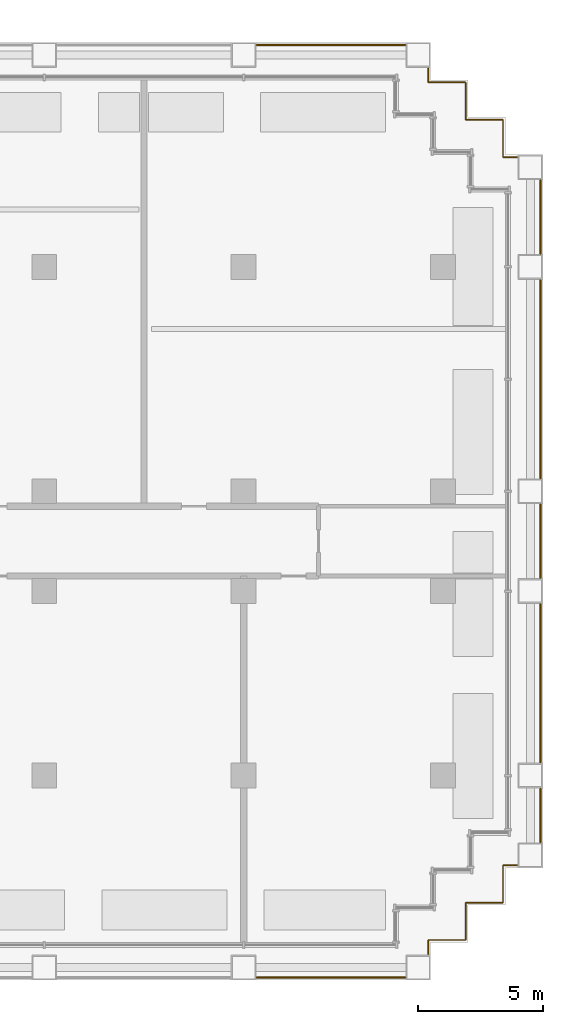
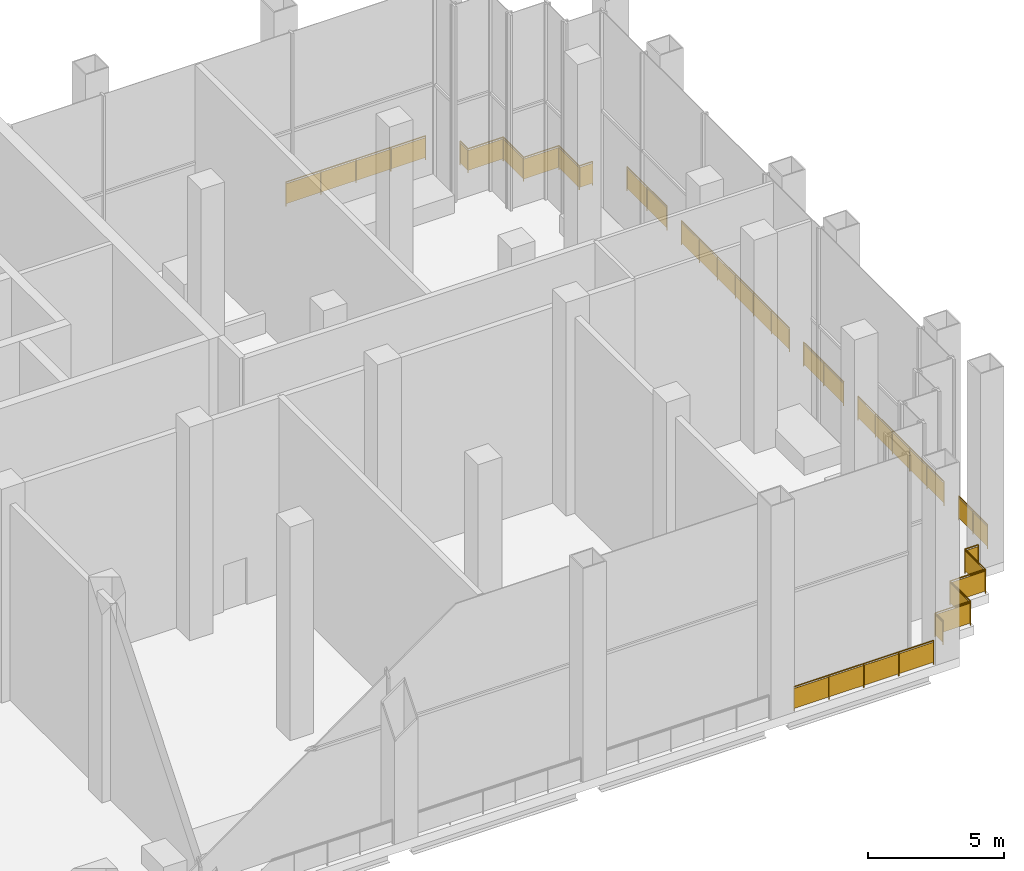
# One storey, part 16 of 16: 9 railings.
"""IFC4 building model written with IfcOpenShell, lengths in metres."""

import ifcopenshell
import ifcopenshell.guid

model = None  # the IFC model being written
_history = None  # IfcOwnerHistory: only IFC2X3 demands one
_inside = {}  # id of a spatial element -> (the spatial element, [elements in it])
_under = {}  # id of a project, library or spatial element -> (it, [spatial elements below it])
_declared = {}  # id of a project -> (the project, [libraries it declares])
_typed = {}  # id of a type object -> (the type object, [elements of that type])
_made_of = {}  # id of a material, layer set ... -> (it, [elements and type objects made of it])


def new_model(schema):
    """Start an empty IFC model of exactly this schema.

    Asked for "IFC4X3", IfcOpenShell would pick the latest addendum, in which some entities
    have other attributes; the version numbers below select the first issue.
    IFC2X3 requires an IfcOwnerHistory on every rooted entity: one is made here for all.
    """
    global model, _history
    if schema == "IFC4X3":
        model = ifcopenshell.file(schema_version=(4, 3, 0, 0))
    else:
        model = ifcopenshell.file(schema=schema)
    _inside.clear()
    _under.clear()
    _declared.clear()
    _typed.clear()
    _made_of.clear()
    _history = None
    if model.schema == "IFC2X3":
        org = make("IfcOrganization", Name="unknown")
        user = make(
            "IfcPersonAndOrganization",
            ThePerson=make("IfcPerson", FamilyName="unknown"),
            TheOrganization=org,
        )
        app = make(
            "IfcApplication",
            ApplicationDeveloper=org,
            Version="unknown",
            ApplicationFullName="unknown",
            ApplicationIdentifier="unknown",
        )
        _history = make(
            "IfcOwnerHistory",
            OwningUser=user,
            OwningApplication=app,
            ChangeAction="ADDED",
            CreationDate=0,
        )
    return model


def make(cls, **values):
    """One entity of the class cls with the attributes given. An attribute that is None is left unset."""
    return model.create_entity(
        cls, **{name: value for name, value in values.items() if value is not None}
    )


def rooted(cls, **values):
    """An entity with a GlobalId (a new one), such as an element, a storey or a relation."""
    return make(cls, GlobalId=ifcopenshell.guid.new(), OwnerHistory=_history, **values)


def si_unit(unit_type, name, prefix=None):
    """IfcSIUnit, for example si_unit("LENGTHUNIT", "METRE", prefix="MILLI")."""
    return make("IfcSIUnit", UnitType=unit_type, Prefix=prefix, Name=name)


def assignment(units):
    """IfcUnitAssignment: the units of a project."""
    return None if units is None else make("IfcUnitAssignment", Units=units)


def point(xyz):
    """IfcCartesianPoint."""
    return None if xyz is None else make("IfcCartesianPoint", Coordinates=xyz)


def direction(xyz):
    """IfcDirection."""
    return None if xyz is None else make("IfcDirection", DirectionRatios=xyz)


def frame(location, z_axis=None, x_axis=None):
    """IfcAxis2Placement3D, a coordinate frame: its origin and axes. An axis left out is left unset."""
    return make(
        "IfcAxis2Placement3D",
        Location=point(location),
        Axis=direction(z_axis),
        RefDirection=direction(x_axis),
    )


def frame_2d(location, x_axis=None):
    """IfcAxis2Placement2D, a coordinate frame in the plane: its origin and x axis."""
    return make(
        "IfcAxis2Placement2D", Location=point(location), RefDirection=direction(x_axis)
    )


def origin():
    """The frame at (0, 0, 0) with its axes left unset."""
    return frame((0.0, 0.0, 0.0))


def origin_2d():
    """The frame at (0, 0) in the plane with its x axis left unset."""
    return frame_2d((0.0, 0.0))


def place(relative_to, where):
    """IfcLocalPlacement: puts the frame where relative to a parent placement (None: the world)."""
    return make(
        "IfcLocalPlacement", PlacementRelTo=relative_to, RelativePlacement=where
    )


def context(
    kind, dimensions, precision=None, world=None, true_north=None, identifier=None
):
    """IfcGeometricRepresentationContext, for example the 3D "Model" context."""
    return make(
        "IfcGeometricRepresentationContext",
        ContextIdentifier=identifier,
        ContextType=kind,
        CoordinateSpaceDimension=dimensions,
        Precision=precision,
        WorldCoordinateSystem=world,
        TrueNorth=true_north,
    )


def subcontext(parent, identifier, kind, view, scale=None):
    """IfcGeometricRepresentationSubContext, for example "Body" below "Model"."""
    return make(
        "IfcGeometricRepresentationSubContext",
        ContextIdentifier=identifier,
        ContextType=kind,
        ParentContext=parent,
        TargetScale=scale,
        TargetView=view,
    )


def project(units=None, contexts=None):
    """IfcProject with its units and contexts."""
    return rooted(
        "IfcProject",
        Name="project",
        RepresentationContexts=contexts,
        UnitsInContext=assignment(units),
    )


def spatial(cls, under=None, at=None, **own):
    """A site, building, storey or space (cls), placed at a placement, below another one or the project."""
    s = rooted(cls, ObjectPlacement=at, **own)
    if under is not None:
        _under.setdefault(under.id(), (under, []))[1].append(s)
    return s


def profile(cls, at=None, kind="AREA", **sizes):
    """A parametric profile (cls). Its sizes go by their IFC names, for example OverallWidth=200.0."""
    return make(cls, ProfileType=kind, Position=at, **sizes)


def rectangle(**sizes):
    """IfcRectangleProfileDef."""
    return profile("IfcRectangleProfileDef", **sizes)


def circle(**sizes):
    """IfcCircleProfileDef."""
    return profile("IfcCircleProfileDef", **sizes)


def extrude(swept, where, along, depth):
    """IfcExtrudedAreaSolid: the profile swept, set in the frame where, extruded along a direction by depth."""
    return make(
        "IfcExtrudedAreaSolid",
        SweptArea=swept,
        Position=where,
        ExtrudedDirection=direction(along),
        Depth=depth,
    )


def shape(context_of_items, identifier, shape_type, items):
    """IfcShapeRepresentation: the items that make up one representation, for example the "Body"."""
    return make(
        "IfcShapeRepresentation",
        ContextOfItems=context_of_items,
        RepresentationIdentifier=identifier,
        RepresentationType=shape_type,
        Items=items,
    )


def material(Name=None, Category=None):
    """IfcMaterial."""
    return make("IfcMaterial", Name=Name, Category=Category)


def made_of(thing, what):
    """Note that an element or type object is made of a material, layer set ...; save() writes the relation."""
    if what is not None:
        _made_of.setdefault(what.id(), (what, []))[1].append(thing)
    return thing


def type_object(cls, material=None, **own):
    """A type object (cls), such as IfcWallType, which elements share."""
    return made_of(rooted(cls, **own), material)


def element(
    cls,
    number,
    at=None,
    inside=None,
    cuts=None,
    type_object=None,
    material=None,
    context=None,
    identifier="Body",
    shape_type=None,
    held_by="IfcProductDefinitionShape",
    body=None,
    shapes=None,
    **own,
):
    """One element of the class cls, such as IfcWall. Its Tag is "e" and its number.

    at: its placement. inside: the storey or other place that contains it. cuts: it is an
    opening in that element (IfcRelVoidsElement). A single representation is given by context,
    identifier, shape_type and body (its items); several are given by shapes. held_by: the class
    of the entity that holds the representations. save() writes the other relations.
    """
    e = rooted(cls, Tag="e%d" % number, ObjectPlacement=at, **own)
    if body is not None:
        shapes = [shape(context, identifier, shape_type, body)]
    if shapes is not None:
        e.Representation = make(held_by, Representations=shapes)
    if inside is not None:
        _inside.setdefault(inside.id(), (inside, []))[1].append(e)
    if cuts is not None:
        rooted(
            "IfcRelVoidsElement", RelatingBuildingElement=cuts, RelatedOpeningElement=e
        )
    if type_object is not None:
        _typed.setdefault(type_object.id(), (type_object, []))[1].append(e)
    return made_of(e, material)


def aggregate(whole, parts):
    """IfcRelAggregates: a whole, such as a stair, and the parts it consists of."""
    return rooted("IfcRelAggregates", RelatingObject=whole, RelatedObjects=parts)


def save(model, path):
    """Write the relations noted so far, then the file.

    IfcRelAggregates (storeys below a building ...), IfcRelContainedInSpatialStructure (elements
    in a storey), IfcRelDefinesByType, IfcRelAssociatesMaterial and IfcRelDeclares: one each for
    every whole, place, type object, material and project.
    """
    for whole, parts in _under.values():
        aggregate(whole, parts)
    for where, things in _inside.values():
        rooted(
            "IfcRelContainedInSpatialStructure",
            RelatedElements=things,
            RelatingStructure=where,
        )
    for kind, things in _typed.values():
        rooted("IfcRelDefinesByType", RelatedObjects=things, RelatingType=kind)
    for what, things in _made_of.values():
        rooted("IfcRelAssociatesMaterial", RelatedObjects=things, RelatingMaterial=what)
    for by, libraries in _declared.values():
        rooted("IfcRelDeclares", RelatingContext=by, RelatedDefinitions=libraries)
    model.write(path)


model = new_model("IFC4")

# Units and contexts
model_context = context("Model", 3, precision=1e-05, world=origin(), true_north=direction((0.0, 1.0)))
body_context = subcontext(model_context, "Body", "Model", "MODEL_VIEW")
ifc_project = project(units=[si_unit("LENGTHUNIT", "METRE"), si_unit("AREAUNIT", "SQUARE_METRE"), si_unit("VOLUMEUNIT", "CUBIC_METRE"), si_unit("PLANEANGLEUNIT", "RADIAN"), si_unit("MASSUNIT", "GRAM", prefix="KILO")], contexts=[model_context])

# Site, building, storey
site_placement = place(None, origin())
site = spatial("IfcSite", under=ifc_project, at=site_placement, CompositionType="ELEMENT")
building_placement = place(site_placement, origin())
building = spatial("IfcBuilding", under=site, at=building_placement, Name="Vidyagriha Tower", CompositionType="ELEMENT")
storey_placement = place(building_placement, frame((0.0, 0.0, 64.0)))
storey = spatial("IfcBuildingStorey", under=building, at=storey_placement, Name="L17", CompositionType="ELEMENT", Elevation=64.0)

# Railings
ifc_material = material(Name="Steel ASTM A500 Grade C black painted", Category="steel")
railing_type = type_object("IfcRailingType", Name="Gallery guard 1100", PredefinedType="GUARDRAIL", material=ifc_material)
railing_1_placement = place(storey_placement, frame((32.469970703125, -17.5, 0.0)))
element("IfcRailing", 1, at=railing_1_placement, inside=storey, type_object=railing_type, Name="Gallery guard L17 21", PredefinedType="GUARDRAIL", context=body_context, shape_type="SweptSolid", body=[
    extrude(circle(Radius=0.02490234375, at=origin_2d()), frame((0.0, 0.0, 1.0751953125), z_axis=(-1.0, 0.0, 0.0), x_axis=(0.0, -1.0, 0.0)), (0.0, 0.0, 1.0), 5.93994140625),
    extrude(circle(Radius=0.02001953125, at=origin_2d()), origin(), (0.0, 0.0, 1.0), 1.050048828125),
    extrude(circle(Radius=0.02001953125, at=origin_2d()), frame((-1.48486328125, 0.0, 0.0)), (0.0, 0.0, 1.0), 1.050048828125),
    extrude(circle(Radius=0.02001953125, at=origin_2d()), frame((-2.969970703125, 0.0, 0.0)), (0.0, 0.0, 1.0), 1.050048828125),
    extrude(circle(Radius=0.02001953125, at=origin_2d()), frame((-4.455078125, 0.0, 0.0)), (0.0, 0.0, 1.0), 1.050048828125),
    extrude(circle(Radius=0.02001953125, at=origin_2d()), frame((-5.93994140625, 0.0, 0.0)), (0.0, 0.0, 1.0), 1.050048828125),
    extrude(rectangle(XDim=0.010009765625, YDim=0.900146484375, at=origin_2d()), frame((0.0, 0.0, 0.550048828125), z_axis=(-1.0, 0.0, 0.0), x_axis=(0.0, -1.0, 0.0)), (0.0, 0.0, 1.0), 5.93994140625),
])
railing_2_placement = place(storey_placement, frame((26.530029296875, 19.89990234375, 0.0)))
element("IfcRailing", 2, at=railing_2_placement, inside=storey, type_object=railing_type, Name="Gallery guard L17 22", PredefinedType="GUARDRAIL", context=body_context, shape_type="SweptSolid", body=[
    extrude(circle(Radius=0.02490234375, at=origin_2d()), frame((0.0, 0.0, 1.0751953125), z_axis=(1.0, 0.0, 0.0), x_axis=(0.0, 1.0, 0.0)), (0.0, 0.0, 1.0), 5.93994140625),
    extrude(circle(Radius=0.02001953125, at=origin_2d()), origin(), (0.0, 0.0, 1.0), 1.050048828125),
    extrude(circle(Radius=0.02001953125, at=origin_2d()), frame((1.48486328125, 0.0, 0.0)), (0.0, 0.0, 1.0), 1.050048828125),
    extrude(circle(Radius=0.02001953125, at=origin_2d()), frame((2.969970703125, 0.0, 0.0)), (0.0, 0.0, 1.0), 1.050048828125),
    extrude(circle(Radius=0.02001953125, at=origin_2d()), frame((4.455078125, 0.0, 0.0)), (0.0, 0.0, 1.0), 1.050048828125),
    extrude(circle(Radius=0.02001953125, at=origin_2d()), frame((5.93994140625, 0.0, 0.0)), (0.0, 0.0, 1.0), 1.050048828125),
    extrude(rectangle(XDim=0.010009765625, YDim=0.900146484375, at=origin_2d()), frame((0.0, 0.0, 0.550048828125), z_axis=(1.0, 0.0, 0.0), x_axis=(0.0, 1.0, 0.0)), (0.0, 0.0, 1.0), 5.93994140625),
])
railing_3_placement = place(storey_placement, frame((36.969970703125, -13.0, 0.0)))
element("IfcRailing", 3, at=railing_3_placement, inside=storey, type_object=railing_type, Name="Gallery guard L17 23", PredefinedType="GUARDRAIL", context=body_context, shape_type="SweptSolid", body=[
    extrude(circle(Radius=0.02490234375, at=origin_2d()), frame((0.0, 0.0, 1.0751953125), z_axis=(-1.0, 0.0, 0.0), x_axis=(0.0, -1.0, 0.0)), (0.0, 0.0, 1.0), 0.570068359375),
    extrude(circle(Radius=0.02490234375, at=origin_2d()), frame((-0.570068359375, 0.0, 1.0751953125), z_axis=(0.0, -1.0, 0.0), x_axis=(1.0, 0.0, 0.0)), (0.0, 0.0, 1.0), 1.5),
    extrude(circle(Radius=0.02490234375, at=origin_2d()), frame((-0.570068359375, -1.5, 1.0751953125), z_axis=(-1.0, 0.0, 0.0), x_axis=(0.0, -1.0, 0.0)), (0.0, 0.0, 1.0), 1.5),
    extrude(circle(Radius=0.02490234375, at=origin_2d()), frame((-2.070068359375, -1.5, 1.0751953125), z_axis=(0.0, -1.0, 0.0), x_axis=(1.0, 0.0, 0.0)), (0.0, 0.0, 1.0), 1.5),
    extrude(circle(Radius=0.02490234375, at=origin_2d()), frame((-2.070068359375, -3.0, 1.0751953125), z_axis=(-1.0, 0.0, 0.0), x_axis=(0.0, -1.0, 0.0)), (0.0, 0.0, 1.0), 1.5),
    extrude(circle(Radius=0.02490234375, at=origin_2d()), frame((-3.570068359375, -3.0, 1.0751953125), z_axis=(0.0, -1.0, 0.0), x_axis=(1.0, 0.0, 0.0)), (0.0, 0.0, 1.0), 0.570068359375),
    extrude(circle(Radius=0.02001953125, at=origin_2d()), origin(), (0.0, 0.0, 1.0), 1.050048828125),
    extrude(circle(Radius=0.02001953125, at=origin_2d()), frame((-0.570068359375, 0.0, 0.0)), (0.0, 0.0, 1.0), 1.050048828125),
    extrude(circle(Radius=0.02001953125, at=origin_2d()), frame((-0.570068359375, -1.5, 0.0)), (0.0, 0.0, 1.0), 1.050048828125),
    extrude(circle(Radius=0.02001953125, at=origin_2d()), frame((-2.070068359375, -1.5, 0.0)), (0.0, 0.0, 1.0), 1.050048828125),
    extrude(circle(Radius=0.02001953125, at=origin_2d()), frame((-2.070068359375, -3.0, 0.0)), (0.0, 0.0, 1.0), 1.050048828125),
    extrude(circle(Radius=0.02001953125, at=origin_2d()), frame((-3.570068359375, -3.0, 0.0)), (0.0, 0.0, 1.0), 1.050048828125),
    extrude(circle(Radius=0.02001953125, at=origin_2d()), frame((-3.570068359375, -3.570068359375, 0.0)), (0.0, 0.0, 1.0), 1.050048828125),
    extrude(rectangle(XDim=0.010009765625, YDim=0.900146484375, at=origin_2d()), frame((0.0, 0.0, 0.550048828125), z_axis=(-1.0, 0.0, 0.0), x_axis=(0.0, -1.0, 0.0)), (0.0, 0.0, 1.0), 0.570068359375),
    extrude(rectangle(XDim=0.010009765625, YDim=0.900146484375, at=origin_2d()), frame((-0.570068359375, 0.0, 0.550048828125), z_axis=(0.0, -1.0, 0.0), x_axis=(1.0, 0.0, 0.0)), (0.0, 0.0, 1.0), 1.5),
    extrude(rectangle(XDim=0.010009765625, YDim=0.900146484375, at=origin_2d()), frame((-0.570068359375, -1.5, 0.550048828125), z_axis=(-1.0, 0.0, 0.0), x_axis=(0.0, -1.0, 0.0)), (0.0, 0.0, 1.0), 1.5),
    extrude(rectangle(XDim=0.010009765625, YDim=0.900146484375, at=origin_2d()), frame((-2.070068359375, -1.5, 0.550048828125), z_axis=(0.0, -1.0, 0.0), x_axis=(1.0, 0.0, 0.0)), (0.0, 0.0, 1.0), 1.5),
    extrude(rectangle(XDim=0.010009765625, YDim=0.900146484375, at=origin_2d()), frame((-2.070068359375, -3.0, 0.550048828125), z_axis=(-1.0, 0.0, 0.0), x_axis=(0.0, -1.0, 0.0)), (0.0, 0.0, 1.0), 1.5),
    extrude(rectangle(XDim=0.010009765625, YDim=0.900146484375, at=origin_2d()), frame((-3.570068359375, -3.0, 0.550048828125), z_axis=(0.0, -1.0, 0.0), x_axis=(1.0, 0.0, 0.0)), (0.0, 0.0, 1.0), 0.570068359375),
])
railing_4_placement = place(storey_placement, frame((33.39990234375, 18.969970703125, 0.0)))
element("IfcRailing", 4, at=railing_4_placement, inside=storey, type_object=railing_type, Name="Gallery guard L17 24", PredefinedType="GUARDRAIL", context=body_context, shape_type="SweptSolid", body=[
    extrude(circle(Radius=0.02490234375, at=origin_2d()), frame((0.0, 0.0, 1.0751953125), z_axis=(0.0, -1.0, 0.0), x_axis=(1.0, 0.0, 0.0)), (0.0, 0.0, 1.0), 0.570068359375),
    extrude(circle(Radius=0.02490234375, at=origin_2d()), frame((0.0, -0.570068359375, 1.0751953125), z_axis=(1.0, 0.0, 0.0), x_axis=(0.0, 1.0, 0.0)), (0.0, 0.0, 1.0), 1.5),
    extrude(circle(Radius=0.02490234375, at=origin_2d()), frame((1.5, -0.570068359375, 1.0751953125), z_axis=(0.0, -1.0, 0.0), x_axis=(1.0, 0.0, 0.0)), (0.0, 0.0, 1.0), 1.5),
    extrude(circle(Radius=0.02490234375, at=origin_2d()), frame((1.5, -2.070068359375, 1.0751953125), z_axis=(1.0, 0.0, 0.0), x_axis=(0.0, 1.0, 0.0)), (0.0, 0.0, 1.0), 1.5),
    extrude(circle(Radius=0.02490234375, at=origin_2d()), frame((3.0, -2.070068359375, 1.0751953125), z_axis=(0.0, -1.0, 0.0), x_axis=(1.0, 0.0, 0.0)), (0.0, 0.0, 1.0), 1.5),
    extrude(circle(Radius=0.02490234375, at=origin_2d()), frame((3.0, -3.570068359375, 1.0751953125), z_axis=(1.0, 0.0, 0.0), x_axis=(0.0, 1.0, 0.0)), (0.0, 0.0, 1.0), 0.570068359375),
    extrude(circle(Radius=0.02001953125, at=origin_2d()), origin(), (0.0, 0.0, 1.0), 1.050048828125),
    extrude(circle(Radius=0.02001953125, at=origin_2d()), frame((0.0, -0.570068359375, 0.0)), (0.0, 0.0, 1.0), 1.050048828125),
    extrude(circle(Radius=0.02001953125, at=origin_2d()), frame((1.5, -0.570068359375, 0.0)), (0.0, 0.0, 1.0), 1.050048828125),
    extrude(circle(Radius=0.02001953125, at=origin_2d()), frame((1.5, -2.070068359375, 0.0)), (0.0, 0.0, 1.0), 1.050048828125),
    extrude(circle(Radius=0.02001953125, at=origin_2d()), frame((3.0, -2.070068359375, 0.0)), (0.0, 0.0, 1.0), 1.050048828125),
    extrude(circle(Radius=0.02001953125, at=origin_2d()), frame((3.0, -3.570068359375, 0.0)), (0.0, 0.0, 1.0), 1.050048828125),
    extrude(circle(Radius=0.02001953125, at=origin_2d()), frame((3.570068359375, -3.570068359375, 0.0)), (0.0, 0.0, 1.0), 1.050048828125),
    extrude(rectangle(XDim=0.010009765625, YDim=0.900146484375, at=origin_2d()), frame((0.0, 0.0, 0.550048828125), z_axis=(0.0, -1.0, 0.0), x_axis=(1.0, 0.0, 0.0)), (0.0, 0.0, 1.0), 0.570068359375),
    extrude(rectangle(XDim=0.010009765625, YDim=0.900146484375, at=origin_2d()), frame((0.0, -0.570068359375, 0.550048828125), z_axis=(1.0, 0.0, 0.0), x_axis=(0.0, 1.0, 0.0)), (0.0, 0.0, 1.0), 1.5),
    extrude(rectangle(XDim=0.010009765625, YDim=0.900146484375, at=origin_2d()), frame((1.5, -0.570068359375, 0.550048828125), z_axis=(0.0, -1.0, 0.0), x_axis=(1.0, 0.0, 0.0)), (0.0, 0.0, 1.0), 1.5),
    extrude(rectangle(XDim=0.010009765625, YDim=0.900146484375, at=origin_2d()), frame((1.5, -2.070068359375, 0.550048828125), z_axis=(1.0, 0.0, 0.0), x_axis=(0.0, 1.0, 0.0)), (0.0, 0.0, 1.0), 1.5),
    extrude(rectangle(XDim=0.010009765625, YDim=0.900146484375, at=origin_2d()), frame((3.0, -2.070068359375, 0.550048828125), z_axis=(0.0, -1.0, 0.0), x_axis=(1.0, 0.0, 0.0)), (0.0, 0.0, 1.0), 1.5),
    extrude(rectangle(XDim=0.010009765625, YDim=0.900146484375, at=origin_2d()), frame((3.0, -3.570068359375, 0.550048828125), z_axis=(1.0, 0.0, 0.0), x_axis=(0.0, 1.0, 0.0)), (0.0, 0.0, 1.0), 0.570068359375),
])
railing_5_placement = place(storey_placement, frame((37.89990234375, -9.929931640625, 0.0)))
element("IfcRailing", 5, at=railing_5_placement, inside=storey, type_object=railing_type, Name="Gallery guard L17 25", PredefinedType="GUARDRAIL", context=body_context, shape_type="SweptSolid", body=[
    extrude(circle(Radius=0.02490234375, at=origin_2d()), frame((0.0, 0.0, 1.0751953125), z_axis=(0.0, -1.0, 0.0), x_axis=(1.0, 0.0, 0.0)), (0.0, 0.0, 1.0), 2.14013671875),
    extrude(circle(Radius=0.02001953125, at=origin_2d()), origin(), (0.0, 0.0, 1.0), 1.050048828125),
    extrude(circle(Radius=0.02001953125, at=origin_2d()), frame((0.0, -1.070068359375, 0.0)), (0.0, 0.0, 1.0), 1.050048828125),
    extrude(circle(Radius=0.02001953125, at=origin_2d()), frame((0.0, -2.14013671875, 0.0)), (0.0, 0.0, 1.0), 1.050048828125),
    extrude(rectangle(XDim=0.010009765625, YDim=0.900146484375, at=origin_2d()), frame((0.0, 0.0, 0.550048828125), z_axis=(0.0, -1.0, 0.0), x_axis=(1.0, 0.0, 0.0)), (0.0, 0.0, 1.0), 2.14013671875),
])
railing_6_placement = place(storey_placement, frame((37.89990234375, -2.530029296875, 0.0)))
element("IfcRailing", 6, at=railing_6_placement, inside=storey, type_object=railing_type, Name="Gallery guard L17 26", PredefinedType="GUARDRAIL", context=body_context, shape_type="SweptSolid", body=[
    extrude(circle(Radius=0.02490234375, at=origin_2d()), frame((0.0, 0.0, 1.0751953125), z_axis=(0.0, -1.0, 0.0), x_axis=(1.0, 0.0, 0.0)), (0.0, 0.0, 1.0), 6.340087890625),
    extrude(circle(Radius=0.02001953125, at=origin_2d()), origin(), (0.0, 0.0, 1.0), 1.050048828125),
    extrude(circle(Radius=0.02001953125, at=origin_2d()), frame((0.0, -1.26806640625, 0.0)), (0.0, 0.0, 1.0), 1.050048828125),
    extrude(circle(Radius=0.02001953125, at=origin_2d()), frame((0.0, -2.5361328125, 0.0)), (0.0, 0.0, 1.0), 1.050048828125),
    extrude(circle(Radius=0.02001953125, at=origin_2d()), frame((0.0, -3.803955078125, 0.0)), (0.0, 0.0, 1.0), 1.050048828125),
    extrude(circle(Radius=0.02001953125, at=origin_2d()), frame((0.0, -5.072021484375, 0.0)), (0.0, 0.0, 1.0), 1.050048828125),
    extrude(circle(Radius=0.02001953125, at=origin_2d()), frame((0.0, -6.340087890625, 0.0)), (0.0, 0.0, 1.0), 1.050048828125),
    extrude(rectangle(XDim=0.010009765625, YDim=0.900146484375, at=origin_2d()), frame((0.0, 0.0, 0.550048828125), z_axis=(0.0, -1.0, 0.0), x_axis=(1.0, 0.0, 0.0)), (0.0, 0.0, 1.0), 6.340087890625),
])
railing_7_placement = place(storey_placement, frame((37.89990234375, 1.469970703125, 0.0)))
element("IfcRailing", 7, at=railing_7_placement, inside=storey, type_object=railing_type, Name="Gallery guard L17 27", PredefinedType="GUARDRAIL", context=body_context, shape_type="SweptSolid", body=[
    extrude(circle(Radius=0.02490234375, at=origin_2d()), frame((0.0, 0.0, 1.0751953125), z_axis=(0.0, -1.0, 0.0), x_axis=(1.0, 0.0, 0.0)), (0.0, 0.0, 1.0), 2.93994140625),
    extrude(circle(Radius=0.02001953125, at=origin_2d()), origin(), (0.0, 0.0, 1.0), 1.050048828125),
    extrude(circle(Radius=0.02001953125, at=origin_2d()), frame((0.0, -1.469970703125, 0.0)), (0.0, 0.0, 1.0), 1.050048828125),
    extrude(circle(Radius=0.02001953125, at=origin_2d()), frame((0.0, -2.93994140625, 0.0)), (0.0, 0.0, 1.0), 1.050048828125),
    extrude(rectangle(XDim=0.010009765625, YDim=0.900146484375, at=origin_2d()), frame((0.0, 0.0, 0.550048828125), z_axis=(0.0, -1.0, 0.0), x_axis=(1.0, 0.0, 0.0)), (0.0, 0.0, 1.0), 2.93994140625),
])
railing_8_placement = place(storey_placement, frame((37.89990234375, 10.469970703125, 0.0)))
element("IfcRailing", 8, at=railing_8_placement, inside=storey, type_object=railing_type, Name="Gallery guard L17 28", PredefinedType="GUARDRAIL", context=body_context, shape_type="SweptSolid", body=[
    extrude(circle(Radius=0.02490234375, at=origin_2d()), frame((0.0, 0.0, 1.0751953125), z_axis=(0.0, -1.0, 0.0), x_axis=(1.0, 0.0, 0.0)), (0.0, 0.0, 1.0), 7.93994140625),
    extrude(circle(Radius=0.02001953125, at=origin_2d()), origin(), (0.0, 0.0, 1.0), 1.050048828125),
    extrude(circle(Radius=0.02001953125, at=origin_2d()), frame((0.0, -1.3232421875, 0.0)), (0.0, 0.0, 1.0), 1.050048828125),
    extrude(circle(Radius=0.02001953125, at=origin_2d()), frame((0.0, -2.646728515625, 0.0)), (0.0, 0.0, 1.0), 1.050048828125),
    extrude(circle(Radius=0.02001953125, at=origin_2d()), frame((0.0, -3.969970703125, 0.0)), (0.0, 0.0, 1.0), 1.050048828125),
    extrude(circle(Radius=0.02001953125, at=origin_2d()), frame((0.0, -5.293212890625, 0.0)), (0.0, 0.0, 1.0), 1.050048828125),
    extrude(circle(Radius=0.02001953125, at=origin_2d()), frame((0.0, -6.61669921875, 0.0)), (0.0, 0.0, 1.0), 1.050048828125),
    extrude(circle(Radius=0.02001953125, at=origin_2d()), frame((0.0, -7.93994140625, 0.0)), (0.0, 0.0, 1.0), 1.050048828125),
    extrude(rectangle(XDim=0.010009765625, YDim=0.900146484375, at=origin_2d()), frame((0.0, 0.0, 0.550048828125), z_axis=(0.0, -1.0, 0.0), x_axis=(1.0, 0.0, 0.0)), (0.0, 0.0, 1.0), 7.93994140625),
])
railing_9_placement = place(storey_placement, frame((37.89990234375, 14.469970703125, 0.0)))
element("IfcRailing", 9, at=railing_9_placement, inside=storey, type_object=railing_type, Name="Gallery guard L17 29", PredefinedType="GUARDRAIL", context=body_context, shape_type="SweptSolid", body=[
    extrude(circle(Radius=0.02490234375, at=origin_2d()), frame((0.0, 0.0, 1.0751953125), z_axis=(0.0, -1.0, 0.0), x_axis=(1.0, 0.0, 0.0)), (0.0, 0.0, 1.0), 2.93994140625),
    extrude(circle(Radius=0.02001953125, at=origin_2d()), origin(), (0.0, 0.0, 1.0), 1.050048828125),
    extrude(circle(Radius=0.02001953125, at=origin_2d()), frame((0.0, -1.469970703125, 0.0)), (0.0, 0.0, 1.0), 1.050048828125),
    extrude(circle(Radius=0.02001953125, at=origin_2d()), frame((0.0, -2.93994140625, 0.0)), (0.0, 0.0, 1.0), 1.050048828125),
    extrude(rectangle(XDim=0.010009765625, YDim=0.900146484375, at=origin_2d()), frame((0.0, 0.0, 0.550048828125), z_axis=(0.0, -1.0, 0.0), x_axis=(1.0, 0.0, 0.0)), (0.0, 0.0, 1.0), 2.93994140625),
])

save(model, "model.ifc")
